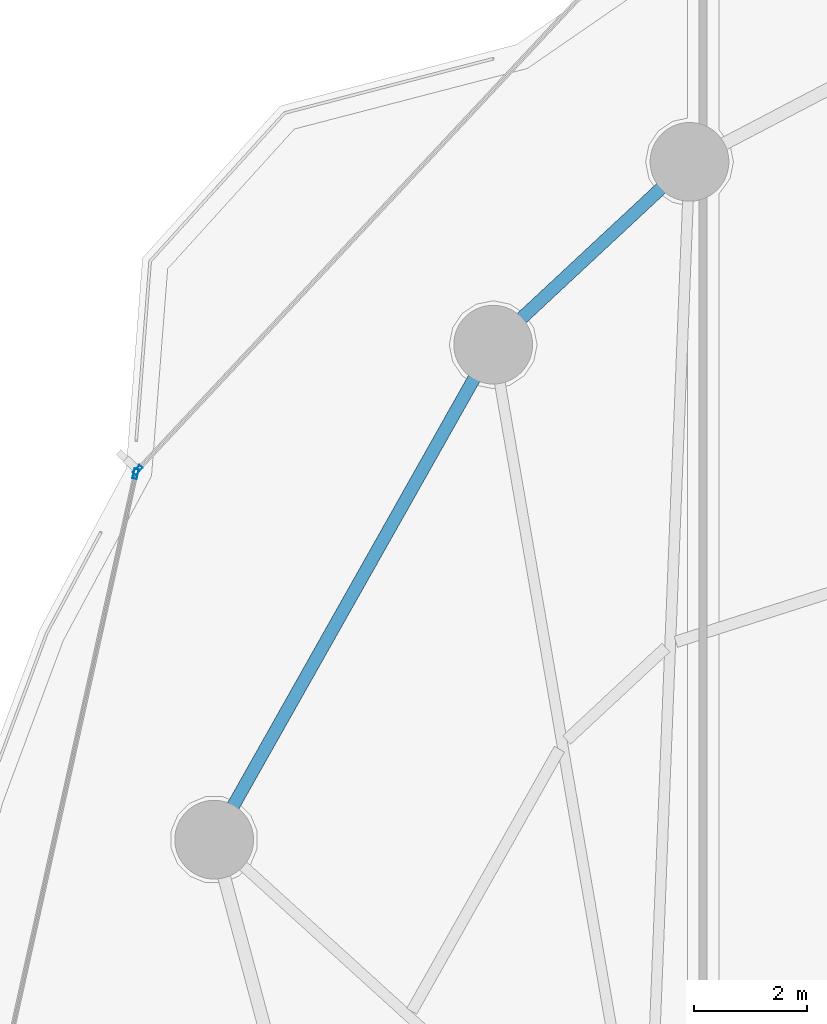
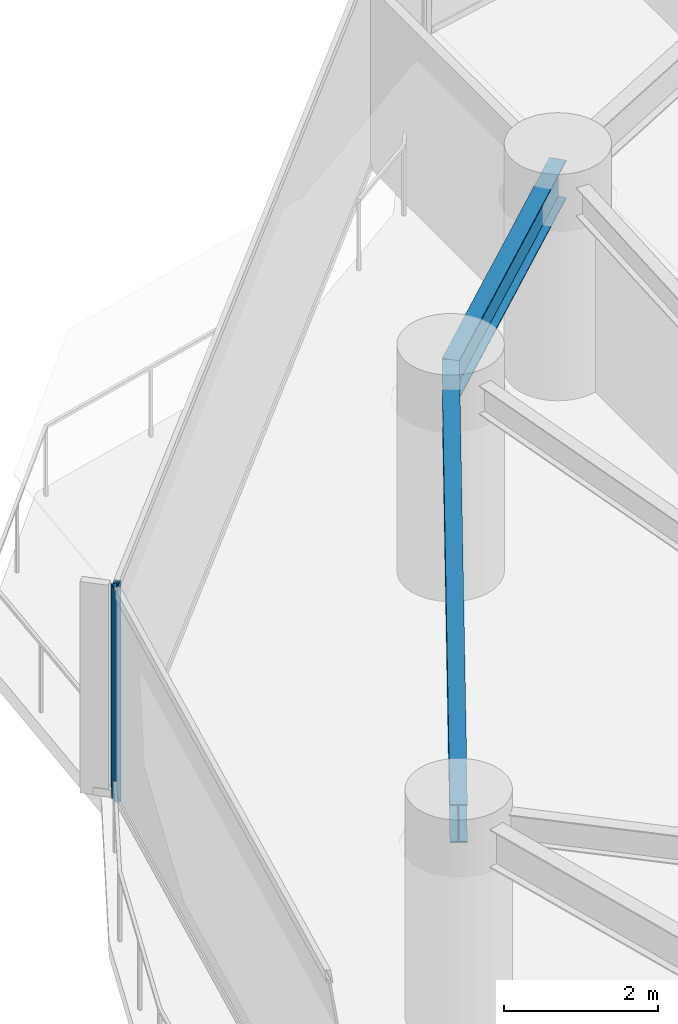
# One storey, part 15 of 34: 2 beams, 2 members, 2 elements without a shape of their own.
"""IFC4 building model written with IfcOpenShell, lengths in metres."""

from ifc_helpers import new_model, si_unit, direction, frame, origin, origin_2d, place, context, subcontext, project, spatial, hollow_rectangle, i_section, extrude, material, layer, layer_set, material_profile, profile_set, type_object, element, aggregate, save


model = new_model("IFC4")

# Units and contexts
model_context = context("Model", 3, precision=1e-05, world=origin(), true_north=direction((0.0, 1.0)))
body_context = subcontext(model_context, "Body", "Model", "MODEL_VIEW")
ifc_project = project(units=[si_unit("LENGTHUNIT", "METRE"), si_unit("AREAUNIT", "SQUARE_METRE"), si_unit("VOLUMEUNIT", "CUBIC_METRE"), si_unit("PLANEANGLEUNIT", "RADIAN"), si_unit("MASSUNIT", "GRAM", prefix="KILO")], contexts=[model_context])

# Site, building, storey
site_placement = place(None, origin())
site = spatial("IfcSite", under=ifc_project, at=site_placement, CompositionType="ELEMENT")
building_placement = place(site_placement, origin())
building = spatial("IfcBuilding", under=site, at=building_placement, Name="Kazevale Care Tower and Concert Hall", CompositionType="ELEMENT")
storey_placement = place(building_placement, frame((0.0, 0.0, 67.199951171875)))
storey = spatial("IfcBuildingStorey", under=building, at=storey_placement, Name="L17", CompositionType="ELEMENT", Elevation=67.199951171875)

# Curtain wall, member
ifc_material_1 = material(Name="Aluminium 6063-T6 and Low-E Glass", Category="aluminium")
ifc_layer_1 = layer(ifc_material_1, 0.179931640625)
ifc_layer_set_1 = layer_set([ifc_layer_1], Name="Aluminium 6063-T6 and Low-E Glass")
curtain_wall_type_1 = type_object("IfcCurtainWallType", Name="Convex Checkerboard Finned Curtain Wall CW-2", PredefinedType="NOTDEFINED", material=ifc_layer_set_1)
curtain_wall_1_placement = place(storey_placement, origin())
curtain_wall_1 = element("IfcCurtainWall", 1, at=curtain_wall_1_placement, inside=storey, type_object=curtain_wall_type_1, Name="cw:L17:f14", PredefinedType="NOTDEFINED")
ifc_material_2 = material(Name="Aluminium 6063-T6", Category="aluminium")
ifc_material_profile_1 = material_profile(ifc_material_2, hollow_rectangle(XDim=0.080078125, YDim=0.179931640625, WallThickness=0.0048828125, at=origin_2d()), Name="ALU80x180x5")
ifc_profile_set_1 = profile_set([ifc_material_profile_1], Name="Aluminium 6063-T6")
member_type_1 = type_object("IfcMemberType", Name="CW-2 Mullion ALU80x180x5", PredefinedType="MULLION", material=ifc_profile_set_1)
member_1_placement = place(storey_placement, frame((12.94921875, 49.9521484375, 0.0), z_axis=(0.0, 0.0, 1.0), x_axis=(-0.730363049987, 0.683059159381, 0.0)))
member_1 = element("IfcMember", 2, at=member_1_placement, type_object=member_type_1, Name="CW-2 mullion 1", PredefinedType="MULLION", context=body_context, shape_type="SweptSolid", body=[
    extrude(hollow_rectangle(XDim=0.080078125, YDim=0.179931640625, WallThickness=0.0048828125, at=origin_2d()), origin(), (0.0, 0.0, 1.0), 3.360107421875),
])
aggregate(curtain_wall_1, [member_1])

ifc_layer_2 = layer(ifc_material_1, 0.179931640625)
ifc_layer_set_2 = layer_set([ifc_layer_2], Name="Aluminium 6063-T6 and Low-E Glass")
curtain_wall_type_2 = type_object("IfcCurtainWallType", Name="Waist & Upper Residential Curtain Wall CW-4", PredefinedType="NOTDEFINED", material=ifc_layer_set_2)
curtain_wall_2_placement = place(storey_placement, origin())
curtain_wall_2 = element("IfcCurtainWall", 3, at=curtain_wall_2_placement, inside=storey, type_object=curtain_wall_type_2, Name="cw:L17:f13", PredefinedType="NOTDEFINED")
ifc_material_profile_2 = material_profile(ifc_material_2, hollow_rectangle(XDim=0.080078125, YDim=0.179931640625, WallThickness=0.0048828125, at=origin_2d()), Name="ALU80x180x5")
ifc_profile_set_2 = profile_set([ifc_material_profile_2], Name="Aluminium 6063-T6")
member_type_2 = type_object("IfcMemberType", Name="CW-4 Mullion ALU80x180x5", PredefinedType="MULLION", material=ifc_profile_set_2)
member_2_placement = place(storey_placement, frame((12.913330078125, 49.884033203125, 0.0), z_axis=(0.0, 0.0, 1.0), x_axis=(-0.976291328475, 0.216460716862, 0.0)))
member_2 = element("IfcMember", 4, at=member_2_placement, type_object=member_type_2, Name="CW-4 mullion 2", PredefinedType="MULLION", context=body_context, shape_type="SweptSolid", body=[
    extrude(hollow_rectangle(XDim=0.080078125, YDim=0.179931640625, WallThickness=0.0048828125, at=origin_2d()), origin(), (0.0, 0.0, 1.0), 3.360107421875),
])
aggregate(curtain_wall_2, [member_2])

# Beams
ifc_material_3 = material(Name="Steel ASTM A572 Gr 50", Category="steel")
ifc_material_profile_3 = material_profile(ifc_material_3, i_section(OverallWidth=0.22900390625, OverallDepth=0.612060546875, WebThickness=0.011962890625, FlangeThickness=0.01953125, at=origin_2d()), Name="W610x125")
ifc_profile_set_3 = profile_set([ifc_material_profile_3], Name="Steel ASTM A572 Gr 50")
beam_type = type_object("IfcBeamType", Name="Ring Spandrel Beam W610x125", PredefinedType="SPANDREL", material=ifc_profile_set_3)
beam_1_placement = place(storey_placement, frame((22.760009765625, 55.429931640625, 3.053955078125), z_axis=(-0.731820896228, -0.681497010884, 0.0), x_axis=(0.681497010884, -0.731820896228, 0.0)))
element("IfcBeam", 5, at=beam_1_placement, inside=storey, type_object=beam_type, Name="beam:L17:ring:07", PredefinedType="SPANDREL", context=body_context, shape_type="SweptSolid", body=[
    extrude(i_section(OverallWidth=0.22900390625, OverallDepth=0.612060546875, WebThickness=0.011962890625, FlangeThickness=0.01953125, at=origin_2d()), origin(), (0.0, 0.0, 1.0), 4.768798828125),
])
beam_2_placement = place(storey_placement, frame((19.27001953125, 52.179931640625, 3.053955078125), z_axis=(-0.491008061092, -0.87115502865, 0.0), x_axis=(0.87115502865, -0.491008061092, 0.0)))
element("IfcBeam", 6, at=beam_2_placement, inside=storey, type_object=beam_type, Name="beam:L17:ring:08", PredefinedType="SPANDREL", context=body_context, shape_type="SweptSolid", body=[
    extrude(i_section(OverallWidth=0.22900390625, OverallDepth=0.612060546875, WebThickness=0.011962890625, FlangeThickness=0.01953125, at=origin_2d()), origin(), (0.0, 0.0, 1.0), 10.1015625),
])

save(model, "model.ifc")
